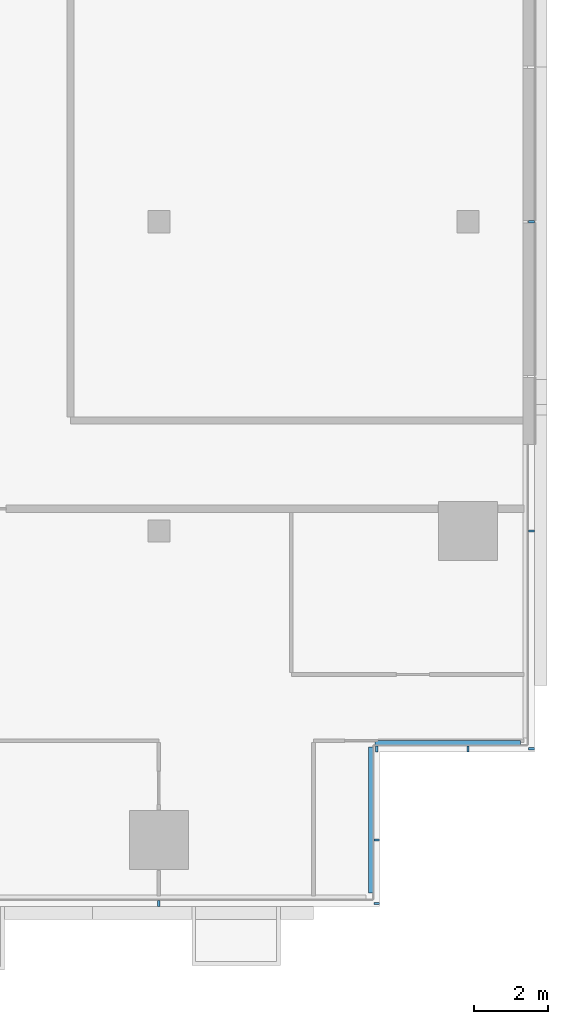
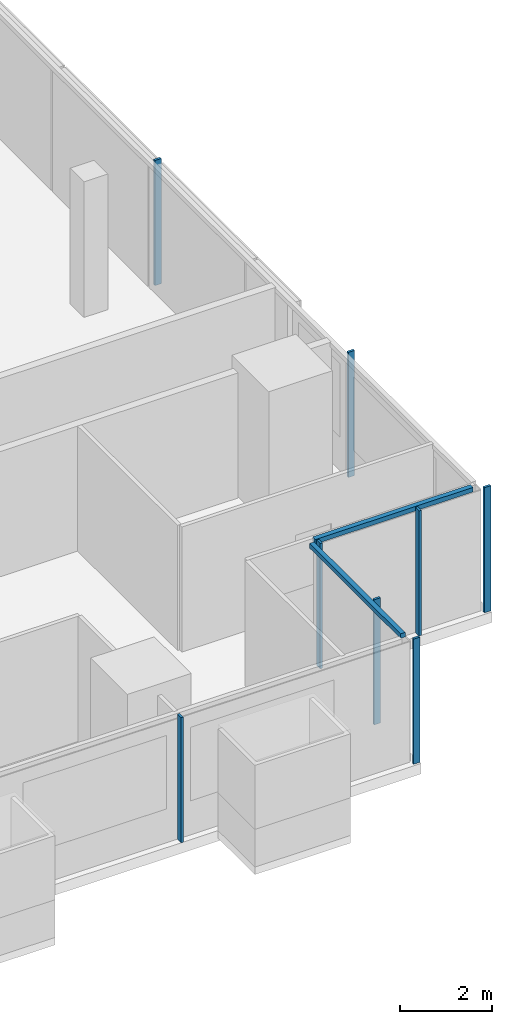
# One storey, part 14 of 31: 10 members, 4 elements without a shape of their own.
"""IFC4 building model written with IfcOpenShell, lengths in metres."""

from ifc_helpers import new_model, si_unit, direction, frame, origin, origin_2d, place, context, subcontext, project, spatial, rectangle, extrude, material, material_profile, profile_set, type_object, element, aggregate, save


model = new_model("IFC4")

# Units and contexts
model_context = context("Model", 3, precision=1e-05, world=origin(), true_north=direction((0.0, 1.0)))
body_context = subcontext(model_context, "Body", "Model", "MODEL_VIEW")
ifc_project = project(units=[si_unit("LENGTHUNIT", "METRE"), si_unit("AREAUNIT", "SQUARE_METRE"), si_unit("VOLUMEUNIT", "CUBIC_METRE"), si_unit("PLANEANGLEUNIT", "RADIAN"), si_unit("MASSUNIT", "GRAM", prefix="KILO")], contexts=[model_context])

# Site, building, storey
site_placement = place(None, origin())
site = spatial("IfcSite", under=ifc_project, at=site_placement, CompositionType="ELEMENT")
building_placement = place(site_placement, origin())
building = spatial("IfcBuilding", under=site, at=building_placement, Name="Saffron Gate Tower", CompositionType="ELEMENT")
storey_placement = place(building_placement, frame((0.0, 0.0, 205.5)))
storey = spatial("IfcBuildingStorey", under=building, at=storey_placement, Name="L49", CompositionType="ELEMENT", Elevation=205.5)

# Curtain wall, member
ifc_material = material(Name="Aluminium, bronze anodised", Category="aluminium")
curtain_wall_type_1 = type_object("IfcCurtainWallType", Name="CWS1 curtain wall front facade", PredefinedType="NOTDEFINED", material=ifc_material)
curtain_wall_1_placement = place(storey_placement, origin())
curtain_wall_1 = element("IfcCurtainWall", 1, at=curtain_wall_1_placement, inside=storey, type_object=curtain_wall_type_1, Name="CWS1 run 1", PredefinedType="NOTDEFINED")
ifc_material_profile_1 = material_profile(ifc_material, rectangle(XDim=0.159912109375, YDim=0.06005859375, at=origin_2d()))
ifc_profile_set_1 = profile_set([ifc_material_profile_1], Name="Aluminium, bronze anodised")
member_type_1 = type_object("IfcMemberType", Name="CWS1 mullion 60x160", PredefinedType="MULLION", material=ifc_profile_set_1)
member_1_placement = place(storey_placement, frame((117.0, 30.080078125, 0.0), z_axis=(0.0, 0.0, 1.0), x_axis=(0.0, 1.0, 0.0)))
member_1 = element("IfcMember", 2, at=member_1_placement, type_object=member_type_1, Name="CWS1 mullion 9", PredefinedType="MULLION", context=body_context, shape_type="SweptSolid", body=[
    extrude(rectangle(XDim=0.159912109375, YDim=0.06005859375, at=origin_2d()), origin(), (0.0, 0.0, 1.0), 3.320068359375),
])
aggregate(curtain_wall_1, [member_1])

# Curtain wall, members
curtain_wall_type_2 = type_object("IfcCurtainWallType", Name="CWS2 curtain wall side facades", PredefinedType="NOTDEFINED", material=ifc_material)
curtain_wall_2_placement = place(storey_placement, origin())
curtain_wall_2 = element("IfcCurtainWall", 3, at=curtain_wall_2_placement, inside=storey, type_object=curtain_wall_type_2, Name="CWS2 run 4", PredefinedType="NOTDEFINED")
ifc_material_profile_2 = material_profile(ifc_material, rectangle(XDim=0.159912109375, YDim=0.06005859375, at=origin_2d()))
ifc_profile_set_2 = profile_set([ifc_material_profile_2], Name="Aluminium, bronze anodised")
member_type_2 = type_object("IfcMemberType", Name="CWS2 mullion 60x160", PredefinedType="MULLION", material=ifc_profile_set_2)
member_2_placement = place(storey_placement, frame((127.1201171875, 34.280029296875, 0.0), z_axis=(0.0, 0.0, 1.0), x_axis=(-1.0, 0.0, 0.0)))
member_2 = element("IfcMember", 4, at=member_2_placement, type_object=member_type_2, Name="CWS2 mullion 1", PredefinedType="MULLION", context=body_context, shape_type="SweptSolid", body=[
    extrude(rectangle(XDim=0.159912109375, YDim=0.06005859375, at=origin_2d()), origin(), (0.0, 0.0, 1.0), 3.320068359375),
])
member_3_placement = place(storey_placement, frame((127.1201171875, 40.199951171875, 0.0), z_axis=(0.0, 0.0, 1.0), x_axis=(-1.0, 0.0, 0.0)))
member_3 = element("IfcMember", 5, at=member_3_placement, type_object=member_type_2, Name="CWS2 mullion 2", PredefinedType="MULLION", context=body_context, shape_type="SweptSolid", body=[
    extrude(rectangle(XDim=0.159912109375, YDim=0.06005859375, at=origin_2d()), origin(), (0.0, 0.0, 1.0), 3.320068359375),
])
member_4_placement = place(storey_placement, frame((127.1201171875, 48.60009765625, 0.0), z_axis=(0.0, 0.0, 1.0), x_axis=(-1.0, 0.0, 0.0)))
member_4 = element("IfcMember", 6, at=member_4_placement, type_object=member_type_2, Name="CWS2 mullion 3", PredefinedType="MULLION", context=body_context, shape_type="SweptSolid", body=[
    extrude(rectangle(XDim=0.159912109375, YDim=0.06005859375, at=origin_2d()), origin(), (0.0, 0.0, 1.0), 3.320068359375),
])
aggregate(curtain_wall_2, [member_2, member_3, member_4])

# Curtain wall, member
curtain_wall_type_3 = type_object("IfcCurtainWallType", Name="CWS4 curtain wall corner returns", PredefinedType="NOTDEFINED", material=ifc_material)
curtain_wall_3_placement = place(storey_placement, origin())
curtain_wall_3 = element("IfcCurtainWall", 7, at=curtain_wall_3_placement, inside=storey, type_object=curtain_wall_type_3, Name="CWS4 run 2", PredefinedType="NOTDEFINED")
ifc_material_profile_3 = material_profile(ifc_material, rectangle(XDim=0.1201171875, YDim=0.1201171875, at=origin_2d()))
ifc_profile_set_3 = profile_set([ifc_material_profile_3], Name="Aluminium, bronze anodised")
member_type_3 = type_object("IfcMemberType", Name="CWS4 head transom", PredefinedType="USERDEFINED", material=ifc_profile_set_3)
member_5_placement = place(storey_placement, frame((122.751953125, 30.367919921875, 3.260009765625), z_axis=(0.0, 1.0, 0.0), x_axis=(-1.0, 0.0, 0.0)))
member_5 = element("IfcMember", 8, at=member_5_placement, type_object=member_type_3, Name="CWS4 head transom", ObjectType="TRANSOM", PredefinedType="USERDEFINED", context=body_context, shape_type="SweptSolid", body=[
    extrude(rectangle(XDim=0.1201171875, YDim=0.1201171875, at=origin_2d()), origin(), (0.0, 0.0, 1.0), 3.9599609375),
])

curtain_wall_4_placement = place(storey_placement, origin())
curtain_wall_4 = element("IfcCurtainWall", 9, at=curtain_wall_4_placement, inside=storey, type_object=curtain_wall_type_3, Name="CWS4 run 3", PredefinedType="NOTDEFINED")
member_6_placement = place(storey_placement, frame((122.8720703125, 34.447998046875, 3.260009765625), z_axis=(1.0, 0.0, 0.0), x_axis=(0.0, 1.0, 0.0)))
member_6 = element("IfcMember", 10, at=member_6_placement, type_object=member_type_3, Name="CWS4 head transom", ObjectType="TRANSOM", PredefinedType="USERDEFINED", context=body_context, shape_type="SweptSolid", body=[
    extrude(rectangle(XDim=0.1201171875, YDim=0.1201171875, at=origin_2d()), origin(), (0.0, 0.0, 1.0), 3.9599609375),
])

# Member
ifc_material_profile_4 = material_profile(ifc_material, rectangle(XDim=0.159912109375, YDim=0.06005859375, at=origin_2d()))
ifc_profile_set_4 = profile_set([ifc_material_profile_4], Name="Aluminium, bronze anodised")
member_type_4 = type_object("IfcMemberType", Name="CWS4 mullion 60x160", PredefinedType="MULLION", material=ifc_profile_set_4)
member_7_placement = place(storey_placement, frame((122.919921875, 30.080078125, 0.0), z_axis=(0.0, 0.0, 1.0), x_axis=(-1.0, 0.0, 0.0)))
member_7 = element("IfcMember", 11, at=member_7_placement, type_object=member_type_4, Name="CWS4 mullion 1", PredefinedType="MULLION", context=body_context, shape_type="SweptSolid", body=[
    extrude(rectangle(XDim=0.159912109375, YDim=0.06005859375, at=origin_2d()), origin(), (0.0, 0.0, 1.0), 3.320068359375),
])

member_8_placement = place(storey_placement, frame((122.919921875, 31.800048828125, 0.0), z_axis=(0.0, 0.0, 1.0), x_axis=(-1.0, 0.0, 0.0)))
member_8 = element("IfcMember", 12, at=member_8_placement, type_object=member_type_4, Name="CWS4 mullion 2", PredefinedType="MULLION", context=body_context, shape_type="SweptSolid", body=[
    extrude(rectangle(XDim=0.159912109375, YDim=0.06005859375, at=origin_2d()), origin(), (0.0, 0.0, 1.0), 3.320068359375),
])

aggregate(curtain_wall_3, [member_7, member_8, member_5])

member_9_placement = place(storey_placement, frame((122.919921875, 34.280029296875, 0.0), z_axis=(0.0, 0.0, 1.0), x_axis=(0.0, 1.0, 0.0)))
member_9 = element("IfcMember", 13, at=member_9_placement, type_object=member_type_4, Name="CWS4 mullion 1", PredefinedType="MULLION", context=body_context, shape_type="SweptSolid", body=[
    extrude(rectangle(XDim=0.159912109375, YDim=0.06005859375, at=origin_2d()), origin(), (0.0, 0.0, 1.0), 3.320068359375),
])

member_10_placement = place(storey_placement, frame((125.39990234375, 34.280029296875, 0.0), z_axis=(0.0, 0.0, 1.0), x_axis=(0.0, 1.0, 0.0)))
member_10 = element("IfcMember", 14, at=member_10_placement, type_object=member_type_4, Name="CWS4 mullion 2", PredefinedType="MULLION", context=body_context, shape_type="SweptSolid", body=[
    extrude(rectangle(XDim=0.159912109375, YDim=0.06005859375, at=origin_2d()), origin(), (0.0, 0.0, 1.0), 3.320068359375),
])

aggregate(curtain_wall_4, [member_9, member_10, member_6])

save(model, "model.ifc")
